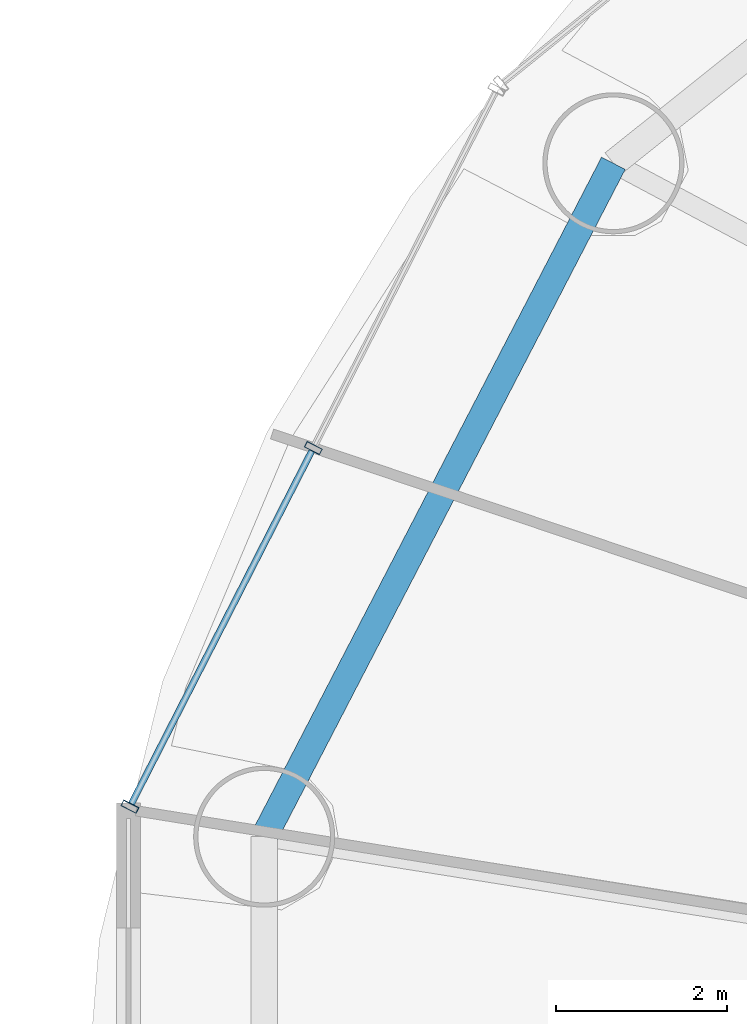
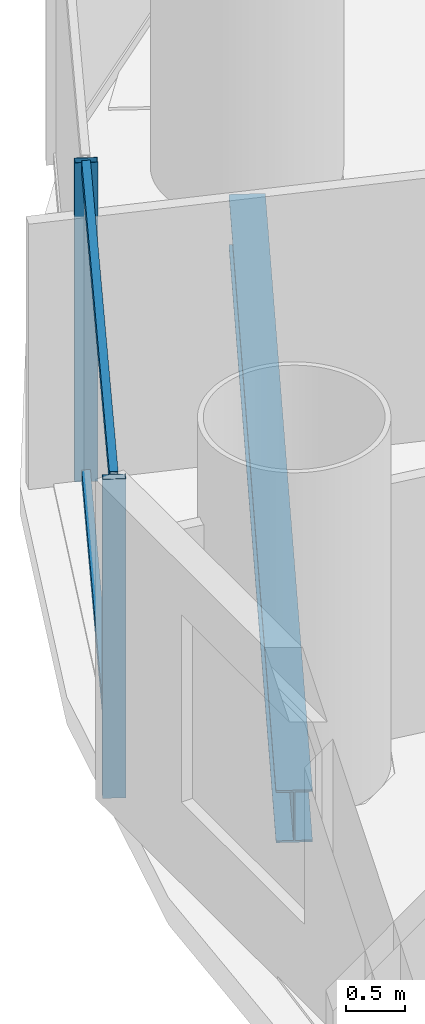
# One storey, part 6 of 28: 4 members, 1 beam, 1 element without a shape of its own.
"""IFC4 building model written with IfcOpenShell, lengths in metres."""

from ifc_helpers import new_model, si_unit, direction, frame, origin, origin_2d, place, context, subcontext, project, spatial, hollow_rectangle, i_section, extrude, source, transform, mapped, material, material_profile, profile_set, type_object, element, aggregate, save


model = new_model("IFC4")

# Units and contexts
model_context = context("Model", 3, precision=1e-05, world=origin(), true_north=direction((-0.2419218956, 0.970295726276)))
body_context = subcontext(model_context, "Body", "Model", "MODEL_VIEW")
ifc_project = project(units=[si_unit("LENGTHUNIT", "METRE"), si_unit("AREAUNIT", "SQUARE_METRE"), si_unit("VOLUMEUNIT", "CUBIC_METRE"), si_unit("PLANEANGLEUNIT", "RADIAN"), si_unit("MASSUNIT", "GRAM", prefix="KILO")], contexts=[model_context])

# Site, building, storey
site_placement = place(None, origin())
site = spatial("IfcSite", under=ifc_project, at=site_placement, CompositionType="ELEMENT")
building_placement = place(site_placement, origin())
building = spatial("IfcBuilding", under=site, at=building_placement, Name="Cobrevalo Terracotta Tower", CompositionType="ELEMENT")
storey_placement = place(building_placement, frame((0.0, 0.0, 42.0)))
storey = spatial("IfcBuildingStorey", under=building, at=storey_placement, Name="L10", CompositionType="ELEMENT", Elevation=42.0)

# Beam
ifc_material_1 = material(Name="Steel S355", Category="steel")
ifc_material_profile_1 = material_profile(ifc_material_1, i_section(OverallWidth=0.31201171875, OverallDepth=0.54296875, WebThickness=0.0126953125, FlangeThickness=0.020263671875, at=origin_2d()), Name="W 530x150")
ifc_profile_set_1 = profile_set([ifc_material_profile_1], Name="Steel S355")
beam_type = type_object("IfcBeamType", Name="Structural Spandrel W 530x150 (Steel S355)", PredefinedType="SPANDREL", material=ifc_profile_set_1)
beam_placement = place(storey_placement, frame((15.25927734375, 38.939208984375, -0.551513671875), z_axis=(-0.460285838799, -0.88777077368, 0.0), x_axis=(0.88777077368, -0.460285838799, 0.0)))
element("IfcBeam", 1, at=beam_placement, inside=storey, type_object=beam_type, Name="L10 perimeter ring spandrel 07", PredefinedType="SPANDREL", context=body_context, shape_type="SweptSolid", body=[
    extrude(i_section(OverallWidth=0.31201171875, OverallDepth=0.54296875, WebThickness=0.0126953125, FlangeThickness=0.020263671875, at=origin_2d()), origin(), (0.0, 0.0, 1.0), 8.8720703125),
])

# Curtain wall, members
ifc_material_2 = material(Name="Anodized aluminium", Category="aluminium")
curtain_wall_type = type_object("IfcCurtainWallType", Name="Lower-tower unitised acoustic low-E curtain wall CW-U1", PredefinedType="NOTDEFINED", material=ifc_material_2)
curtain_wall_placement = place(storey_placement, origin())
curtain_wall = element("IfcCurtainWall", 2, at=curtain_wall_placement, inside=storey, type_object=curtain_wall_type, Name="L10 curtain wall CW-L10-S07", PredefinedType="NOTDEFINED")
ifc_material_profile_2 = material_profile(ifc_material_2, hollow_rectangle(XDim=0.074951171875, YDim=0.199951171875, WallThickness=0.0048828125, at=origin_2d()), Name="CWM 75x200")
ifc_profile_set_2 = profile_set([ifc_material_profile_2], Name="Anodized aluminium")
member_type_1 = type_object("IfcMemberType", Name="Lower/mid tower unitised mullion 75x200", PredefinedType="MULLION", material=ifc_profile_set_2)
shared_shape_1 = source(origin(), body_context, "Body", "SweptSolid", [
    extrude(hollow_rectangle(XDim=0.074951171875, YDim=0.199951171875, WallThickness=0.0048828125, at=origin_2d()), origin(), (0.0, 0.0, 1.0), 3.320068359375),
])
member_1_placement = place(storey_placement, frame((11.74951171875, 35.60888671875, 0.0), z_axis=(0.0, 0.0, 1.0), x_axis=(-0.455234136597, -0.890371765543, 0.0)))
member_1 = element("IfcMember", 3, at=member_1_placement, type_object=member_type_1, Name="CW-L10-S07 vertical mullion 02", PredefinedType="MULLION", context=body_context, shape_type="MappedRepresentation", body=[
    mapped(shared_shape_1, transform((0.0, 0.0, 0.0), scale=1.0)),
])
member_2_placement = place(storey_placement, frame((9.60498046875, 31.414306640625, 0.0), z_axis=(0.0, 0.0, 1.0), x_axis=(-0.455234136597, -0.890371765543, 0.0)))
member_2 = element("IfcMember", 4, at=member_2_placement, type_object=member_type_1, Name="CW-L10-S07 vertical mullion 03", PredefinedType="MULLION", context=body_context, shape_type="MappedRepresentation", body=[
    mapped(shared_shape_1, transform((0.0, 0.0, 0.0), scale=1.0)),
])
ifc_material_profile_3 = material_profile(ifc_material_2, hollow_rectangle(XDim=0.074951171875, YDim=0.14990234375, WallThickness=0.00439453125, at=origin_2d()), Name="CWT 75x150")
ifc_profile_set_3 = profile_set([ifc_material_profile_3], Name="Anodized aluminium")
member_type_2 = type_object("IfcMemberType", Name="Tower unitised aluminium transom 75x150", PredefinedType="USERDEFINED", material=ifc_profile_set_3)
shared_shape_2 = source(origin(), body_context, "Body", "SweptSolid", [
    extrude(hollow_rectangle(XDim=0.074951171875, YDim=0.14990234375, WallThickness=0.00439453125, at=origin_2d()), origin(), (0.0, 0.0, 1.0), 4.631103515625),
])
member_3_placement = place(storey_placement, frame((11.731201171875, 35.573486328125, 0.050048828125), z_axis=(-0.455208584993, -0.890384829245, 0.0), x_axis=(0.890384829245, -0.455208584993, 0.0)))
member_3 = element("IfcMember", 5, at=member_3_placement, type_object=member_type_2, Name="CW-L10-S07 transom B02-T1", ObjectType="TRANSOM", PredefinedType="USERDEFINED", context=body_context, shape_type="MappedRepresentation", body=[
    mapped(shared_shape_2, transform((0.0, 0.0, 0.0), scale=1.0)),
])
member_4_placement = place(storey_placement, frame((11.731201171875, 35.573486328125, 3.27001953125), z_axis=(-0.455208584993, -0.890384829245, 0.0), x_axis=(0.890384829245, -0.455208584993, 0.0)))
member_4 = element("IfcMember", 6, at=member_4_placement, type_object=member_type_2, Name="CW-L10-S07 transom B02-T2", ObjectType="TRANSOM", PredefinedType="USERDEFINED", context=body_context, shape_type="MappedRepresentation", body=[
    mapped(shared_shape_2, transform((0.0, 0.0, 0.0), scale=1.0)),
])
aggregate(curtain_wall, [member_1, member_2, member_3, member_4])

save(model, "model.ifc")
